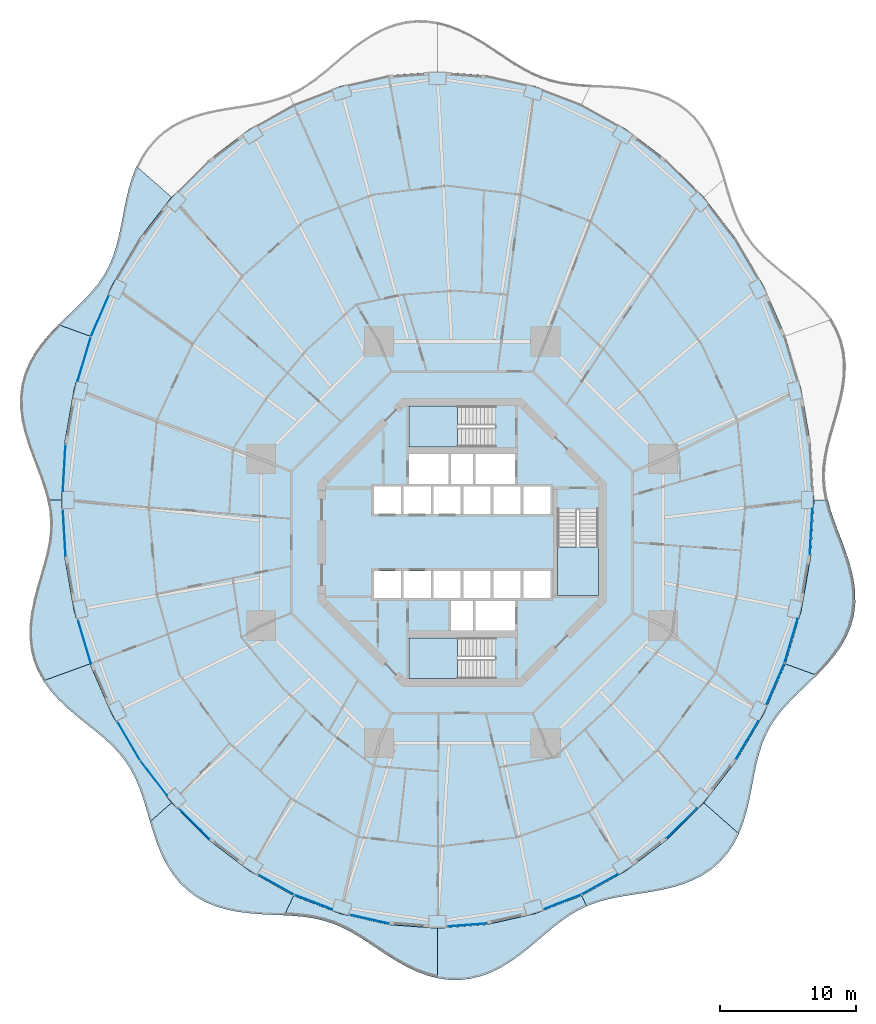
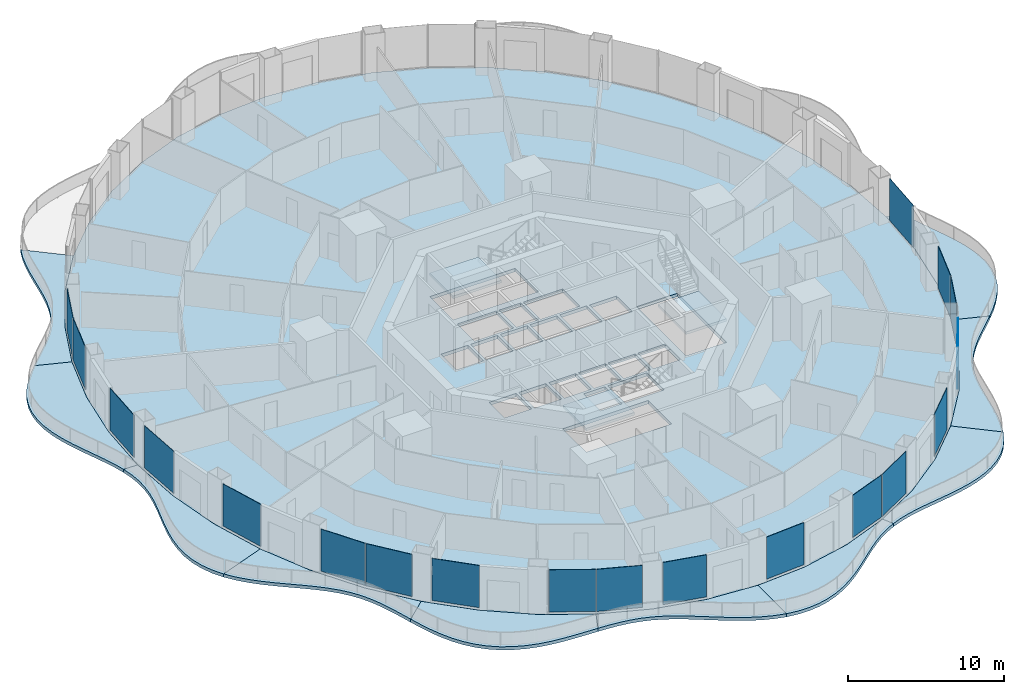
# One storey, part 12 of 22: 19 plates, 14 slabs, 22 elements without a shape of their own.
"""IFC4 building model written with IfcOpenShell, lengths in metres."""

from ifc_helpers import new_model, si_unit, direction, frame, origin, origin_2d, place, context, subcontext, project, spatial, polyline, rectangle, outline, extrude, material, layer, layer_set, type_object, element, aggregate, save


model = new_model("IFC4")

# Units and contexts
model_context = context("Model", 3, precision=1e-05, world=origin(), true_north=direction((0.0, 1.0)))
body_context = subcontext(model_context, "Body", "Model", "MODEL_VIEW")
ifc_project = project(units=[si_unit("LENGTHUNIT", "METRE"), si_unit("AREAUNIT", "SQUARE_METRE"), si_unit("VOLUMEUNIT", "CUBIC_METRE"), si_unit("PLANEANGLEUNIT", "RADIAN"), si_unit("MASSUNIT", "GRAM", prefix="KILO")], contexts=[model_context])

# Site, building, storey
site_placement = place(None, origin())
site = spatial("IfcSite", under=ifc_project, at=site_placement, CompositionType="ELEMENT")
building_placement = place(site_placement, origin())
building = spatial("IfcBuilding", under=site, at=building_placement, Name="Nagisa Residences", CompositionType="ELEMENT")
storey_placement = place(building_placement, frame((0.0, 0.0, 80.699951171875)))
storey = spatial("IfcBuildingStorey", under=building, at=storey_placement, Name="L19", CompositionType="ELEMENT", Elevation=80.699951171875)

# Slabs
ifc_material_1 = material(Name="Concrete C40/50", Category="concrete")
ifc_layer_1 = layer(ifc_material_1, 0.25)
ifc_layer_set_1 = layer_set([ifc_layer_1], Name="BALCONY SLAB 250")
slab_type_1 = type_object("IfcSlabType", Name="BALCONY SLAB 250", PredefinedType="FLOOR", material=ifc_layer_set_1)
slab_1_placement = place(storey_placement, frame((0.0, 0.0, -0.25)))
element("IfcSlab", 1, at=slab_1_placement, inside=storey, type_object=slab_type_1, Name="slab:L19:bal06", PredefinedType="FLOOR", context=body_context, shape_type="SweptSolid", body=[
    extrude(outline(polyline([(-23.965087890625, 27.671142578125), (-24.281982421875, 26.853515625), (-24.534423828125, 26.003662109375), (-24.73779296875, 25.137451171875), (-24.909912109375, 24.271240234375), (-25.071044921875, 23.419189453125), (-25.2412109375, 22.59326171875), (-25.439208984375, 21.8017578125), (-25.681884765625, 21.050048828125), (-25.98193359375, 20.339111328125), (-26.347412109375, 19.6669921875), (-26.78125, 19.028564453125), (-27.28076171875, 18.41552734375), (-27.83740234375, 17.818603515625), (-28.437744140625, 17.226806640625), (-29.064208984375, 16.630126953125), (-29.69580078125, 16.0185546875), (-27.386962890625, 15.177978515625), (-25.78466796875, 18.875244140625), (-23.77197265625, 22.302734375), (-21.38330078125, 25.402099609375), (-23.965087890625, 27.671142578125)])), origin(), (0.0, 0.0, 1.0), 0.25),
])
slab_2_placement = place(storey_placement, frame((0.0, 0.0, -0.25)))
element("IfcSlab", 2, at=slab_2_placement, inside=storey, type_object=slab_type_1, Name="slab:L19:bal07", PredefinedType="FLOOR", context=body_context, shape_type="SweptSolid", body=[
    extrude(outline(polyline([(-29.69580078125, 16.0185546875), (-30.329345703125, 15.36279296875), (-30.919189453125, 14.67529296875), (-31.442138671875, 13.952392578125), (-31.877685546875, 13.19287109375), (-32.209716796875, 12.3984375), (-32.428955078125, 11.573486328125), (-32.531494140625, 10.724365234375), (-32.521240234375, 9.858642578125), (-32.408203125, 8.984375), (-32.208984375, 8.10986328125), (-31.944091796875, 7.241943359375), (-31.638671875, 6.38623046875), (-31.318359375, 5.545654296875), (-31.010009765625, 4.721923828125), (-30.737060546875, 3.91357421875), (-30.5205078125, 3.11767578125), (-29.4951171875, 3.11767578125), (-29.258056640625, 7.231201171875), (-28.55126953125, 11.2744140625), (-27.386962890625, 15.177978515625), (-29.69580078125, 16.0185546875)])), origin(), (0.0, 0.0, 1.0), 0.25),
])
slab_3_placement = place(storey_placement, frame((0.0, 0.0, -0.25)))
element("IfcSlab", 3, at=slab_3_placement, inside=storey, type_object=slab_type_1, Name="slab:L19:bal08", PredefinedType="FLOOR", context=body_context, shape_type="SweptSolid", body=[
    extrude(outline(polyline([(-30.5205078125, 3.11767578125), (-30.375732421875, 2.32958984375), (-30.31201171875, 1.54345703125), (-30.33154296875, 0.75341796875), (-30.429931640625, -0.046630859375), (-30.595703125, -0.861328125), (-30.812255859375, -1.693359375), (-31.0576171875, -2.544189453125), (-31.30712890625, -3.411865234375), (-31.534423828125, -4.29296875), (-31.7138671875, -5.181396484375), (-31.822265625, -6.069091796875), (-31.84033203125, -6.947509765625), (-31.753173828125, -7.807373046875), (-31.553466796875, -8.63916015625), (-31.239501953125, -9.435791015625), (-30.81689453125, -10.191162109375), (-27.386962890625, -8.942626953125), (-28.55126953125, -5.0390625), (-29.258056640625, -0.995849609375), (-29.4951171875, 3.11767578125), (-30.5205078125, 3.11767578125)])), origin(), (0.0, 0.0, 1.0), 0.25),
])
slab_4_placement = place(storey_placement, frame((0.0, 0.0, -0.25)))
element("IfcSlab", 4, at=slab_4_placement, inside=storey, type_object=slab_type_1, Name="slab:L19:bal09", PredefinedType="FLOOR", context=body_context, shape_type="SweptSolid", body=[
    extrude(outline(polyline([(-30.81689453125, -10.191162109375), (-30.314697265625, -10.88134765625), (-29.736572265625, -11.5302734375), (-29.101806640625, -12.140625), (-28.431640625, -12.71875), (-27.748779296875, -13.272705078125), (-27.07421875, -13.812744140625), (-26.42822265625, -14.350830078125), (-25.826416015625, -14.89892578125), (-25.281005859375, -15.468994140625), (-24.798828125, -16.07080078125), (-24.380859375, -16.71240234375), (-24.0234375, -17.39892578125), (-23.717529296875, -18.131103515625), (-23.449951171875, -18.906005859375), (-23.2041015625, -19.71728515625), (-22.961669921875, -20.5537109375), (-21.38330078125, -19.166748046875), (-23.77197265625, -16.0673828125), (-25.78466796875, -12.639892578125), (-27.386962890625, -8.942626953125), (-30.81689453125, -10.191162109375)])), origin(), (0.0, 0.0, 1.0), 0.25),
])
slab_5_placement = place(storey_placement, frame((0.0, 0.0, -0.25)))
element("IfcSlab", 5, at=slab_5_placement, inside=storey, type_object=slab_type_1, Name="slab:L19:bal10", PredefinedType="FLOOR", context=body_context, shape_type="SweptSolid", body=[
    extrude(outline(polyline([(-22.961669921875, -20.5537109375), (-22.71630859375, -21.36181640625), (-22.44091796875, -22.166259765625), (-22.12109375, -22.951416015625), (-21.7451171875, -23.701416015625), (-21.3046875, -24.40185546875), (-20.79443359375, -25.0390625), (-20.21337890625, -25.602294921875), (-19.564208984375, -26.083984375), (-18.853271484375, -26.48095703125), (-18.08935546875, -26.793701171875), (-17.2841796875, -27.02734375), (-16.4501953125, -27.191162109375), (-15.600830078125, -27.2978515625), (-14.74853515625, -27.363037109375), (-13.90478515625, -27.40478515625), (-13.07861328125, -27.441650390625), (-12.3984375, -25.998291015625), (-15.6474609375, -24.175048828125), (-18.65966796875, -21.884765625), (-21.38330078125, -19.166748046875), (-22.961669921875, -20.5537109375)])), origin(), (0.0, 0.0, 1.0), 0.25),
])
slab_6_placement = place(storey_placement, frame((0.0, 0.0, -0.25)))
element("IfcSlab", 6, at=slab_6_placement, inside=storey, type_object=slab_type_1, Name="slab:L19:bal11", PredefinedType="FLOOR", context=body_context, shape_type="SweptSolid", body=[
    extrude(outline(polyline([(-13.07861328125, -27.441650390625), (-12.3056640625, -27.4892578125), (-11.55908203125, -27.564453125), (-10.83935546875, -27.679931640625), (-10.145263671875, -27.84521484375), (-9.47265625, -28.066650390625), (-8.81591796875, -28.345703125), (-8.16845703125, -28.679931640625), (-7.5224609375, -29.0625), (-6.870849609375, -29.482666015625), (-6.20703125, -29.926025390625), (-5.525634765625, -30.375732421875), (-4.822998046875, -30.813232421875), (-4.097412109375, -31.21923828125), (-3.349853515625, -31.5751953125), (-2.58251953125, -31.8642578125), (-1.800048828125, -32.07177734375), (-1.800048828125, -28.397216796875), (-5.4150390625, -28.127685546875), (-8.968017578125, -27.323486328125), (-12.3984375, -25.998291015625), (-13.07861328125, -27.441650390625)])), origin(), (0.0, 0.0, 1.0), 0.25),
])
slab_7_placement = place(storey_placement, frame((0.0, 0.0, -0.25)))
element("IfcSlab", 7, at=slab_7_placement, inside=storey, type_object=slab_type_1, Name="slab:L19:bal12", PredefinedType="FLOOR", context=body_context, shape_type="SweptSolid", body=[
    extrude(outline(polyline([(-1.800048828125, -32.07177734375), (-1.008544921875, -32.186767578125), (-0.21484375, -32.2021484375), (0.5732421875, -32.115966796875), (1.34912109375, -31.93017578125), (2.10595703125, -31.6513671875), (2.8388671875, -31.290771484375), (3.544921875, -30.862548828125), (4.22314453125, -30.38330078125), (4.87451171875, -29.871337890625), (5.50244140625, -29.345947265625), (6.1123046875, -28.824951171875), (6.71142578125, -28.325439453125), (7.307861328125, -27.861328125), (7.90966796875, -27.443603515625), (8.525390625, -27.078857421875), (9.162109375, -26.770263671875), (8.79833984375, -25.998291015625), (5.367919921875, -27.323486328125), (1.81494140625, -28.127685546875), (-1.800048828125, -28.397216796875), (-1.800048828125, -32.07177734375)])), origin(), (0.0, 0.0, 1.0), 0.25),
])
slab_8_placement = place(storey_placement, frame((0.0, 0.0, -0.25)))
element("IfcSlab", 8, at=slab_8_placement, inside=storey, type_object=slab_type_1, Name="slab:L19:bal13", PredefinedType="FLOOR", context=body_context, shape_type="SweptSolid", body=[
    extrude(outline(polyline([(9.162109375, -26.770263671875), (9.8515625, -26.507568359375), (10.573486328125, -26.297607421875), (11.32958984375, -26.130126953125), (12.117431640625, -25.9912109375), (12.931396484375, -25.864990234375), (13.76318359375, -25.734130859375), (14.6015625, -25.58154296875), (15.433837890625, -25.39013671875), (16.24560546875, -25.145751953125), (17.022705078125, -24.836669921875), (17.751708984375, -24.45458984375), (18.420654296875, -23.995361328125), (19.020263671875, -23.45849609375), (19.544921875, -22.847412109375), (19.99267578125, -22.169921875), (20.365234375, -21.435791015625), (17.783203125, -19.166748046875), (15.0595703125, -21.884765625), (12.047607421875, -24.175048828125), (8.79833984375, -25.998291015625), (9.162109375, -26.770263671875)])), origin(), (0.0, 0.0, 1.0), 0.25),
])
slab_9_placement = place(storey_placement, frame((0.0, 0.0, -0.25)))
element("IfcSlab", 9, at=slab_9_placement, inside=storey, type_object=slab_type_1, Name="slab:L19:bal14", PredefinedType="FLOOR", context=body_context, shape_type="SweptSolid", body=[
    extrude(outline(polyline([(20.365234375, -21.435791015625), (20.68212890625, -20.6181640625), (20.9345703125, -19.768310546875), (21.1376953125, -18.902099609375), (21.31005859375, -18.035888671875), (21.47119140625, -17.183837890625), (21.64111328125, -16.35791015625), (21.83935546875, -15.56640625), (22.08203125, -14.814697265625), (22.382080078125, -14.103759765625), (22.74755859375, -13.431640625), (23.181396484375, -12.793212890625), (23.6806640625, -12.18017578125), (24.2373046875, -11.5830078125), (24.837646484375, -10.991455078125), (25.464111328125, -10.394775390625), (26.095703125, -9.782958984375), (23.786865234375, -8.942626953125), (22.1845703125, -12.639892578125), (20.171875, -16.0673828125), (17.783203125, -19.166748046875), (20.365234375, -21.435791015625)])), origin(), (0.0, 0.0, 1.0), 0.25),
])
slab_10_placement = place(storey_placement, frame((0.0, 0.0, -0.25)))
element("IfcSlab", 10, at=slab_10_placement, inside=storey, type_object=slab_type_1, Name="slab:L19:bal15", PredefinedType="FLOOR", context=body_context, shape_type="SweptSolid", body=[
    extrude(outline(polyline([(26.095703125, -9.782958984375), (26.729248046875, -9.12744140625), (27.3193359375, -8.43994140625), (27.842041015625, -7.717041015625), (28.277587890625, -6.95751953125), (28.60986328125, -6.1630859375), (28.828857421875, -5.338134765625), (28.931640625, -4.489013671875), (28.921142578125, -3.623291015625), (28.808349609375, -2.7490234375), (28.60888671875, -1.87451171875), (28.34423828125, -1.006591796875), (28.03857421875, -0.150634765625), (27.718505859375, 0.689697265625), (27.409912109375, 1.513427734375), (27.13720703125, 2.32177734375), (26.920654296875, 3.11767578125), (25.89501953125, 3.11767578125), (25.657958984375, -0.995849609375), (24.951416015625, -5.0390625), (23.786865234375, -8.942626953125), (26.095703125, -9.782958984375)])), origin(), (0.0, 0.0, 1.0), 0.25),
])

# Curtain wall, plate
ifc_material_2 = material(Name="Concrete-coloured aluminium curtain wall system", Category="concrete")
ifc_layer_2 = layer(ifc_material_2, 0.159912109375)
ifc_layer_set_2 = layer_set([ifc_layer_2], Name="CW1 CURTAIN WALL")
curtain_wall_type = type_object("IfcCurtainWallType", Name="CW1 CURTAIN WALL", PredefinedType="NOTDEFINED", material=ifc_layer_set_2)
curtain_wall_1_placement = place(storey_placement, origin())
curtain_wall_1 = element("IfcCurtainWall", 11, at=curtain_wall_1_placement, inside=storey, type_object=curtain_wall_type, Name="cw:CW1:L19:20", PredefinedType="NOTDEFINED")
ifc_material_3 = material(Name="Clear laminated glass", Category="glass")
ifc_layer_3 = layer(ifc_material_3, 0.028076171875)
ifc_layer_set_3 = layer_set([ifc_layer_3], Name="CW1 GLASS PANEL")
plate_type = type_object("IfcPlateType", Name="CW1 GLASS PANEL", PredefinedType="CURTAIN_PANEL", material=ifc_layer_set_3)
plate_1_placement = place(storey_placement, frame((-26.653564453125, 16.6689453125, 0.150146484375), z_axis=(0.0, 0.0, 1.0), x_axis=(-0.397635934147, -0.917543276295, 0.0)))
plate_1 = element("IfcPlate", 12, at=plate_1_placement, type_object=plate_type, Name="CW1 panel", PredefinedType="CURTAIN_PANEL", context=body_context, shape_type="SweptSolid", body=[
    extrude(rectangle(XDim=3.319580078125, YDim=0.028076171875, at=origin_2d()), origin(), (0.0, 0.0, 1.0), 3.2900390625),
])
aggregate(curtain_wall_1, [plate_1])

curtain_wall_2_placement = place(storey_placement, origin())
curtain_wall_2 = element("IfcCurtainWall", 13, at=curtain_wall_2_placement, inside=storey, type_object=curtain_wall_type, Name="cw:CW1:L19:21", PredefinedType="NOTDEFINED")
plate_2_placement = place(storey_placement, frame((-27.80810546875, 13.486083984375, 0.150146484375), z_axis=(0.0, 0.0, 1.0), x_axis=(-0.285860274038, -0.958271310082, 0.0)))
plate_2 = element("IfcPlate", 14, at=plate_2_placement, type_object=plate_type, Name="CW1 panel", PredefinedType="CURTAIN_PANEL", context=body_context, shape_type="SweptSolid", body=[
    extrude(rectangle(XDim=3.363525390625, YDim=0.028076171875, at=origin_2d()), origin(), (0.0, 0.0, 1.0), 3.2900390625),
])
aggregate(curtain_wall_2, [plate_2])

curtain_wall_3_placement = place(storey_placement, origin())
curtain_wall_3 = element("IfcCurtainWall", 15, at=curtain_wall_3_placement, inside=storey, type_object=curtain_wall_type, Name="cw:CW1:L19:23", PredefinedType="NOTDEFINED")
plate_3_placement = place(storey_placement, frame((-29.27978515625, 5.46435546875, 0.150146484375), z_axis=(0.0, 0.0, 1.0), x_axis=(-0.057503492216, -0.998345305184, 0.0)))
plate_3 = element("IfcPlate", 16, at=plate_3_placement, type_object=plate_type, Name="CW1 panel", PredefinedType="CURTAIN_PANEL", context=body_context, shape_type="SweptSolid", body=[
    extrude(rectangle(XDim=3.410400390625, YDim=0.028076171875, at=origin_2d()), origin(), (0.0, 0.0, 1.0), 3.2900390625),
])
aggregate(curtain_wall_3, [plate_3])

curtain_wall_4_placement = place(storey_placement, origin())
curtain_wall_4 = element("IfcCurtainWall", 17, at=curtain_wall_4_placement, inside=storey, type_object=curtain_wall_type, Name="cw:CW1:L19:24", PredefinedType="NOTDEFINED")
plate_4_placement = place(storey_placement, frame((-29.2763671875, 0.711181640625, 0.150146484375), z_axis=(0.0, 0.0, 1.0), x_axis=(0.057503492216, -0.998345305184, 0.0)))
plate_4 = element("IfcPlate", 18, at=plate_4_placement, type_object=plate_type, Name="CW1 panel", PredefinedType="CURTAIN_PANEL", context=body_context, shape_type="SweptSolid", body=[
    extrude(rectangle(XDim=3.410400390625, YDim=0.028076171875, at=origin_2d()), origin(), (0.0, 0.0, 1.0), 3.2900390625),
])
aggregate(curtain_wall_4, [plate_4])

curtain_wall_5_placement = place(storey_placement, origin())
curtain_wall_5 = element("IfcCurtainWall", 19, at=curtain_wall_5_placement, inside=storey, type_object=curtain_wall_type, Name="cw:CW1:L19:26", PredefinedType="NOTDEFINED")
plate_5_placement = place(storey_placement, frame((-27.791015625, -7.30810546875, 0.150146484375), z_axis=(0.0, 0.0, 1.0), x_axis=(0.285860274038, -0.958271310082, 0.0)))
plate_5 = element("IfcPlate", 20, at=plate_5_placement, type_object=plate_type, Name="CW1 panel", PredefinedType="CURTAIN_PANEL", context=body_context, shape_type="SweptSolid", body=[
    extrude(rectangle(XDim=3.363525390625, YDim=0.028076171875, at=origin_2d()), origin(), (0.0, 0.0, 1.0), 3.2900390625),
])
aggregate(curtain_wall_5, [plate_5])

curtain_wall_6_placement = place(storey_placement, origin())
curtain_wall_6 = element("IfcCurtainWall", 21, at=curtain_wall_6_placement, inside=storey, type_object=curtain_wall_type, Name="cw:CW1:L19:28", PredefinedType="NOTDEFINED")
plate_6_placement = place(storey_placement, frame((-24.529541015625, -14.619140625, 0.150146484375), z_axis=(0.0, 0.0, 1.0), x_axis=(0.506348567002, -0.862328898214, 0.0)))
plate_6 = element("IfcPlate", 22, at=plate_6_placement, type_object=plate_type, Name="CW1 panel", PredefinedType="CURTAIN_PANEL", context=body_context, shape_type="SweptSolid", body=[
    extrude(rectangle(XDim=3.264892578125, YDim=0.028076171875, at=origin_2d()), origin(), (0.0, 0.0, 1.0), 3.2900390625),
])
aggregate(curtain_wall_6, [plate_6])

curtain_wall_7_placement = place(storey_placement, origin())
curtain_wall_7 = element("IfcCurtainWall", 23, at=curtain_wall_7_placement, inside=storey, type_object=curtain_wall_type, Name="cw:CW1:L19:29", PredefinedType="NOTDEFINED")
plate_7_placement = place(storey_placement, frame((-22.6943359375, -17.334716796875, 0.150146484375), z_axis=(0.0, 0.0, 1.0), x_axis=(0.610429828235, -0.792070340816, 0.0)))
plate_7 = element("IfcPlate", 24, at=plate_7_placement, type_object=plate_type, Name="CW1 panel", PredefinedType="CURTAIN_PANEL", context=body_context, shape_type="SweptSolid", body=[
    extrude(rectangle(XDim=3.202880859375, YDim=0.028076171875, at=origin_2d()), origin(), (0.0, 0.0, 1.0), 3.2900390625),
])
aggregate(curtain_wall_7, [plate_7])

curtain_wall_8_placement = place(storey_placement, origin())
curtain_wall_8 = element("IfcCurtainWall", 25, at=curtain_wall_8_placement, inside=storey, type_object=curtain_wall_type, Name="cw:CW1:L19:30", PredefinedType="NOTDEFINED")
plate_8_placement = place(storey_placement, frame((-19.713623046875, -20.719970703125, 0.150146484375), z_axis=(0.0, 0.0, 1.0), x_axis=(0.707835924016, -0.706376885714, 0.0)))
plate_8 = element("IfcPlate", 26, at=plate_8_placement, type_object=plate_type, Name="CW1 panel", PredefinedType="CURTAIN_PANEL", context=body_context, shape_type="SweptSolid", body=[
    extrude(rectangle(XDim=3.137939453125, YDim=0.028076171875, at=origin_2d()), origin(), (0.0, 0.0, 1.0), 3.2900390625),
])
aggregate(curtain_wall_8, [plate_8])

curtain_wall_9_placement = place(storey_placement, origin())
curtain_wall_9 = element("IfcCurtainWall", 27, at=curtain_wall_9_placement, inside=storey, type_object=curtain_wall_type, Name="cw:CW1:L19:32", PredefinedType="NOTDEFINED")
plate_9_placement = place(storey_placement, frame((-13.67431640625, -25.190673828125, 0.150146484375), z_axis=(0.0, 0.0, 1.0), x_axis=(0.872072377523, -0.489376918501, 0.0)))
plate_9 = element("IfcPlate", 28, at=plate_9_placement, type_object=plate_type, Name="CW1 panel", PredefinedType="CURTAIN_PANEL", context=body_context, shape_type="SweptSolid", body=[
    extrude(rectangle(XDim=3.015625, YDim=0.028076171875, at=origin_2d()), origin(), (0.0, 0.0, 1.0), 3.2900390625),
])
aggregate(curtain_wall_9, [plate_9])

curtain_wall_10_placement = place(storey_placement, origin())
curtain_wall_10 = element("IfcCurtainWall", 29, at=curtain_wall_10_placement, inside=storey, type_object=curtain_wall_type, Name="cw:CW1:L19:33", PredefinedType="NOTDEFINED")
plate_10_placement = place(storey_placement, frame((-10.929443359375, -26.47998046875, 0.150146484375), z_axis=(0.0, 0.0, 1.0), x_axis=(0.932825759707, -0.360327770268, 0.0)))
plate_10 = element("IfcPlate", 30, at=plate_10_placement, type_object=plate_type, Name="CW1 panel", PredefinedType="CURTAIN_PANEL", context=body_context, shape_type="SweptSolid", body=[
    extrude(rectangle(XDim=2.967529296875, YDim=0.028076171875, at=origin_2d()), origin(), (0.0, 0.0, 1.0), 3.2900390625),
])
aggregate(curtain_wall_10, [plate_10])

curtain_wall_11_placement = place(storey_placement, origin())
curtain_wall_11 = element("IfcCurtainWall", 31, at=curtain_wall_11_placement, inside=storey, type_object=curtain_wall_type, Name="cw:CW1:L19:34", PredefinedType="NOTDEFINED")
plate_11_placement = place(storey_placement, frame((-6.82763671875, -27.725830078125, 0.150146484375), z_axis=(0.0, 0.0, 1.0), x_axis=(0.975327274089, -0.2207639201, 0.0)))
plate_11 = element("IfcPlate", 32, at=plate_11_placement, type_object=plate_type, Name="CW1 panel", PredefinedType="CURTAIN_PANEL", context=body_context, shape_type="SweptSolid", body=[
    extrude(rectangle(XDim=2.932861328125, YDim=0.028076171875, at=origin_2d()), origin(), (0.0, 0.0, 1.0), 3.2900390625),
])
aggregate(curtain_wall_11, [plate_11])

curtain_wall_12_placement = place(storey_placement, origin())
curtain_wall_12 = element("IfcCurtainWall", 33, at=curtain_wall_12_placement, inside=storey, type_object=curtain_wall_type, Name="cw:CW1:L19:36", PredefinedType="NOTDEFINED")
plate_12_placement = place(storey_placement, frame((0.35546875, -28.15625, 0.150146484375), z_axis=(0.0, 0.0, 1.0), x_axis=(0.997230168512, 0.074377355493, 0.0)))
plate_12 = element("IfcPlate", 34, at=plate_12_placement, type_object=plate_type, Name="CW1 panel", PredefinedType="CURTAIN_PANEL", context=body_context, shape_type="SweptSolid", body=[
    extrude(rectangle(XDim=2.9150390625, YDim=0.028076171875, at=origin_2d()), origin(), (0.0, 0.0, 1.0), 3.2900390625),
])
aggregate(curtain_wall_12, [plate_12])

curtain_wall_13_placement = place(storey_placement, origin())
curtain_wall_13 = element("IfcCurtainWall", 35, at=curtain_wall_13_placement, inside=storey, type_object=curtain_wall_type, Name="cw:CW1:L19:38", PredefinedType="NOTDEFINED")
plate_13_placement = place(storey_placement, frame((7.385498046875, -26.45849609375, 0.150146484375), z_axis=(0.0, 0.0, 1.0), x_axis=(0.932825759707, 0.360327770268, 0.0)))
plate_13 = element("IfcPlate", 36, at=plate_13_placement, type_object=plate_type, Name="CW1 panel", PredefinedType="CURTAIN_PANEL", context=body_context, shape_type="SweptSolid", body=[
    extrude(rectangle(XDim=2.967529296875, YDim=0.028076171875, at=origin_2d()), origin(), (0.0, 0.0, 1.0), 3.2900390625),
])
aggregate(curtain_wall_13, [plate_13])

curtain_wall_14_placement = place(storey_placement, origin())
curtain_wall_14 = element("IfcCurtainWall", 37, at=curtain_wall_14_placement, inside=storey, type_object=curtain_wall_type, Name="cw:CW1:L19:39", PredefinedType="NOTDEFINED")
plate_14_placement = place(storey_placement, frame((10.12646484375, -25.161376953125, 0.150146484375), z_axis=(0.0, 0.0, 1.0), x_axis=(0.872072377523, 0.489376918501, 0.0)))
plate_14 = element("IfcPlate", 38, at=plate_14_placement, type_object=plate_type, Name="CW1 panel", PredefinedType="CURTAIN_PANEL", context=body_context, shape_type="SweptSolid", body=[
    extrude(rectangle(XDim=3.015625, YDim=0.028076171875, at=origin_2d()), origin(), (0.0, 0.0, 1.0), 3.2900390625),
])
aggregate(curtain_wall_14, [plate_14])

curtain_wall_15_placement = place(storey_placement, origin())
curtain_wall_15 = element("IfcCurtainWall", 39, at=curtain_wall_15_placement, inside=storey, type_object=curtain_wall_type, Name="cw:CW1:L19:41", PredefinedType="NOTDEFINED")
plate_15_placement = place(storey_placement, frame((16.15625, -20.677490234375, 0.150146484375), z_axis=(0.0, 0.0, 1.0), x_axis=(0.707835924016, 0.706376885714, 0.0)))
plate_15 = element("IfcPlate", 40, at=plate_15_placement, type_object=plate_type, Name="CW1 panel", PredefinedType="CURTAIN_PANEL", context=body_context, shape_type="SweptSolid", body=[
    extrude(rectangle(XDim=3.137939453125, YDim=0.028076171875, at=origin_2d()), origin(), (0.0, 0.0, 1.0), 3.2900390625),
])
aggregate(curtain_wall_15, [plate_15])

curtain_wall_16_placement = place(storey_placement, origin())
curtain_wall_16 = element("IfcCurtainWall", 41, at=curtain_wall_16_placement, inside=storey, type_object=curtain_wall_type, Name="cw:CW1:L19:43", PredefinedType="NOTDEFINED")
plate_16_placement = place(storey_placement, frame((20.9599609375, -14.5673828125, 0.150146484375), z_axis=(0.0, 0.0, 1.0), x_axis=(0.506348567002, 0.862328898214, 0.0)))
plate_16 = element("IfcPlate", 42, at=plate_16_placement, type_object=plate_type, Name="CW1 panel", PredefinedType="CURTAIN_PANEL", context=body_context, shape_type="SweptSolid", body=[
    extrude(rectangle(XDim=3.264892578125, YDim=0.028076171875, at=origin_2d()), origin(), (0.0, 0.0, 1.0), 3.2900390625),
])
aggregate(curtain_wall_16, [plate_16])

curtain_wall_17_placement = place(storey_placement, origin())
curtain_wall_17 = element("IfcCurtainWall", 43, at=curtain_wall_17_placement, inside=storey, type_object=curtain_wall_type, Name="cw:CW1:L19:44", PredefinedType="NOTDEFINED")
plate_17_placement = place(storey_placement, frame((23.053466796875, -10.43359375, 0.150146484375), z_axis=(0.0, 0.0, 1.0), x_axis=(0.397635934147, 0.917543276295, 0.0)))
plate_17 = element("IfcPlate", 44, at=plate_17_placement, type_object=plate_type, Name="CW1 panel", PredefinedType="CURTAIN_PANEL", context=body_context, shape_type="SweptSolid", body=[
    extrude(rectangle(XDim=3.319580078125, YDim=0.028076171875, at=origin_2d()), origin(), (0.0, 0.0, 1.0), 3.2900390625),
])
aggregate(curtain_wall_17, [plate_17])

curtain_wall_18_placement = place(storey_placement, origin())
curtain_wall_18 = element("IfcCurtainWall", 45, at=curtain_wall_18_placement, inside=storey, type_object=curtain_wall_type, Name="cw:CW1:L19:45", PredefinedType="NOTDEFINED")
plate_18_placement = place(storey_placement, frame((24.2080078125, -7.25048828125, 0.150146484375), z_axis=(0.0, 0.0, 1.0), x_axis=(0.285860274038, 0.958271310082, 0.0)))
plate_18 = element("IfcPlate", 46, at=plate_18_placement, type_object=plate_type, Name="CW1 panel", PredefinedType="CURTAIN_PANEL", context=body_context, shape_type="SweptSolid", body=[
    extrude(rectangle(XDim=3.363525390625, YDim=0.028076171875, at=origin_2d()), origin(), (0.0, 0.0, 1.0), 3.2900390625),
])
aggregate(curtain_wall_18, [plate_18])

curtain_wall_19_placement = place(storey_placement, origin())
curtain_wall_19 = element("IfcCurtainWall", 47, at=curtain_wall_19_placement, inside=storey, type_object=curtain_wall_type, Name="cw:CW1:L19:47", PredefinedType="NOTDEFINED")
plate_19_placement = place(storey_placement, frame((25.6796875, 0.77099609375, 0.150146484375), z_axis=(0.0, 0.0, 1.0), x_axis=(0.057503492216, 0.998345305184, 0.0)))
plate_19 = element("IfcPlate", 48, at=plate_19_placement, type_object=plate_type, Name="CW1 panel", PredefinedType="CURTAIN_PANEL", context=body_context, shape_type="SweptSolid", body=[
    extrude(rectangle(XDim=3.410400390625, YDim=0.028076171875, at=origin_2d()), origin(), (0.0, 0.0, 1.0), 3.2900390625),
])
aggregate(curtain_wall_19, [plate_19])

# Slab
ifc_material_4 = material(Name="Concrete C40", Category="concrete")
ifc_layer_4 = layer(ifc_material_4, 0.260009765625)
ifc_layer_set_4 = layer_set([ifc_layer_4], Name="Floor slab 260")
slab_type_2 = type_object("IfcSlabType", Name="Floor slab 260", PredefinedType="FLOOR", material=ifc_layer_set_4)
slab_11_placement = place(storey_placement, frame((0.0, 0.0, -0.260009765625)))
element("IfcSlab", 49, at=slab_11_placement, inside=storey, type_object=slab_type_2, Name="slab:L19:floor", PredefinedType="FLOOR", context=body_context, shape_type="SweptSolid", body=[
    extrude(outline(polyline([(25.89501953125, 3.11767578125), (25.657958984375, 7.231201171875), (24.951416015625, 11.2744140625), (23.786865234375, 15.177978515625), (22.1845703125, 18.875244140625), (20.171875, 22.302734375), (17.783203125, 25.402099609375), (15.0595703125, 28.1201171875), (12.047607421875, 30.410400390625), (8.79833984375, 32.233642578125), (5.367919921875, 33.558837890625), (1.81494140625, 34.363037109375), (-1.800048828125, 34.6328125), (-5.4150390625, 34.363037109375), (-8.968017578125, 33.558837890625), (-12.3984375, 32.233642578125), (-15.6474609375, 30.410400390625), (-18.65966796875, 28.1201171875), (-21.38330078125, 25.402099609375), (-23.77197265625, 22.302734375), (-25.78466796875, 18.875244140625), (-27.386962890625, 15.177978515625), (-28.55126953125, 11.2744140625), (-29.258056640625, 7.231201171875), (-29.4951171875, 3.11767578125), (-29.258056640625, -0.995849609375), (-28.55126953125, -5.0390625), (-27.386962890625, -8.942626953125), (-25.78466796875, -12.639892578125), (-23.77197265625, -16.0673828125), (-21.38330078125, -19.166748046875), (-18.65966796875, -21.884765625), (-15.6474609375, -24.175048828125), (-12.3984375, -25.998291015625), (-8.968017578125, -27.323486328125), (-5.4150390625, -28.127685546875), (-1.800048828125, -28.397216796875), (1.81494140625, -28.127685546875), (5.367919921875, -27.323486328125), (8.79833984375, -25.998291015625), (12.047607421875, -24.175048828125), (15.0595703125, -21.884765625), (17.783203125, -19.166748046875), (20.171875, -16.0673828125), (22.1845703125, -12.639892578125), (23.786865234375, -8.942626953125), (24.951416015625, -5.0390625), (25.657958984375, -0.995849609375), (25.89501953125, 3.11767578125)]), holes=[polyline([(-4.5, 2.10009765625), (-4.5, 4.10009765625), (-6.5, 4.10009765625), (-6.5, 2.10009765625), (-4.5, 2.10009765625)]), polyline([(-2.300048828125, 2.10009765625), (-2.300048828125, 4.10009765625), (-4.300048828125, 4.10009765625), (-4.300048828125, 2.10009765625), (-2.300048828125, 2.10009765625)]), polyline([(-0.10009765625, 2.10009765625), (-0.10009765625, 4.10009765625), (-2.10009765625, 4.10009765625), (-2.10009765625, 2.10009765625), (-0.10009765625, 2.10009765625)]), polyline([(2.10009765625, 2.10009765625), (2.10009765625, 4.10009765625), (0.10009765625, 4.10009765625), (0.10009765625, 2.10009765625), (2.10009765625, 2.10009765625)]), polyline([(4.300048828125, 2.10009765625), (4.300048828125, 4.10009765625), (2.300048828125, 4.10009765625), (2.300048828125, 2.10009765625), (4.300048828125, 2.10009765625)]), polyline([(6.5, 2.10009765625), (6.5, 4.10009765625), (4.5, 4.10009765625), (4.5, 2.10009765625), (6.5, 2.10009765625)]), polyline([(-4.5, -4.10009765625), (-4.5, -2.10009765625), (-6.5, -2.10009765625), (-6.5, -4.10009765625), (-4.5, -4.10009765625)]), polyline([(-2.300048828125, -4.10009765625), (-2.300048828125, -2.10009765625), (-4.300048828125, -2.10009765625), (-4.300048828125, -4.10009765625), (-2.300048828125, -4.10009765625)]), polyline([(-0.10009765625, -4.10009765625), (-0.10009765625, -2.10009765625), (-2.10009765625, -2.10009765625), (-2.10009765625, -4.10009765625), (-0.10009765625, -4.10009765625)]), polyline([(2.10009765625, -4.10009765625), (2.10009765625, -2.10009765625), (0.10009765625, -2.10009765625), (0.10009765625, -4.10009765625), (2.10009765625, -4.10009765625)]), polyline([(4.300048828125, -4.10009765625), (4.300048828125, -2.10009765625), (2.300048828125, -2.10009765625), (2.300048828125, -4.10009765625), (4.300048828125, -4.10009765625)]), polyline([(6.5, -4.10009765625), (6.5, -2.10009765625), (4.5, -2.10009765625), (4.5, -4.10009765625), (6.5, -4.10009765625)]), polyline([(3.89990234375, 4.300048828125), (3.89990234375, 6.5), (1.0, 6.5), (1.0, 4.300048828125), (3.89990234375, 4.300048828125)]), polyline([(3.89990234375, -6.5), (3.89990234375, -4.300048828125), (1.0, -4.300048828125), (1.0, -6.5), (3.89990234375, -6.5)]), polyline([(-1.0, 4.300048828125), (-1.0, 6.5), (-3.89990234375, 6.5), (-3.89990234375, 4.300048828125), (-1.0, 4.300048828125)]), polyline([(0.800048828125, 4.300048828125), (0.800048828125, 6.5), (-0.800048828125, 6.5), (-0.800048828125, 4.300048828125), (0.800048828125, 4.300048828125)]), polyline([(0.800048828125, -6.5), (0.800048828125, -4.300048828125), (-0.800048828125, -4.300048828125), (-0.800048828125, -6.5), (0.800048828125, -6.5)]), polyline([(10.024658203125, -3.89990234375), (7.024658203125, -3.89990234375), (7.024658203125, 2.425048828125), (10.024658203125, 2.425048828125), (10.024658203125, -3.89990234375)]), polyline([(-3.89990234375, 7.024658203125), (-3.89990234375, 10.024658203125), (2.425048828125, 10.024658203125), (2.425048828125, 7.024658203125), (-3.89990234375, 7.024658203125)]), polyline([(-3.89990234375, -10.024658203125), (-3.89990234375, -7.024658203125), (2.425048828125, -7.024658203125), (2.425048828125, -10.024658203125), (-3.89990234375, -10.024658203125)])]), origin(), (0.0, 0.0, 1.0), 0.260009765625),
])

# Stair, slab
ifc_material_5 = material(Name="Concrete C60", Category="concrete")
stair_type = type_object("IfcStairType", Name="Exit stair", PredefinedType="HALF_TURN_STAIR", material=ifc_material_5)
stair_1_placement = place(storey_placement, origin())
stair_1 = element("IfcStair", 50, at=stair_1_placement, inside=storey, type_object=stair_type, Name="L19 Exit stair E", PredefinedType="HALF_TURN_STAIR")
ifc_material_6 = material(Name="Concrete C60", Category="concrete")
ifc_layer_5 = layer(ifc_material_6, 0.199951171875)
ifc_layer_set_5 = layer_set([ifc_layer_5], Name="Stair landing")
slab_type_3 = type_object("IfcSlabType", Name="Stair landing", PredefinedType="LANDING", material=ifc_layer_set_5)
slab_12_placement = place(storey_placement, frame((0.0, 0.0, 1.650146484375)))
slab_12 = element("IfcSlab", 51, at=slab_12_placement, type_object=slab_type_3, Name="ST-E landing 1", PredefinedType="LANDING", context=body_context, shape_type="SweptSolid", body=[
    extrude(outline(polyline([(7.024658203125, -0.324951171875), (7.024658203125, -3.89990234375), (10.024658203125, -3.89990234375), (10.024658203125, -0.324951171875), (7.024658203125, -0.324951171875)])), origin(), (0.0, 0.0, 1.0), 0.199951171875),
])
aggregate(stair_1, [slab_12])

stair_2_placement = place(storey_placement, origin())
stair_2 = element("IfcStair", 52, at=stair_2_placement, inside=storey, type_object=stair_type, Name="L19 Exit stair N", PredefinedType="HALF_TURN_STAIR")
slab_13_placement = place(storey_placement, frame((0.0, 0.0, 1.650146484375)))
slab_13 = element("IfcSlab", 53, at=slab_13_placement, type_object=slab_type_3, Name="ST-N landing 1", PredefinedType="LANDING", context=body_context, shape_type="SweptSolid", body=[
    extrude(outline(polyline([(-0.324951171875, 10.024658203125), (-3.89990234375, 10.024658203125), (-3.89990234375, 7.024658203125), (-0.324951171875, 7.024658203125), (-0.324951171875, 10.024658203125)])), origin(), (0.0, 0.0, 1.0), 0.199951171875),
])
aggregate(stair_2, [slab_13])

stair_3_placement = place(storey_placement, origin())
stair_3 = element("IfcStair", 54, at=stair_3_placement, inside=storey, type_object=stair_type, Name="L19 Exit stair S", PredefinedType="HALF_TURN_STAIR")
slab_14_placement = place(storey_placement, frame((0.0, 0.0, 1.650146484375)))
slab_14 = element("IfcSlab", 55, at=slab_14_placement, type_object=slab_type_3, Name="ST-S landing 1", PredefinedType="LANDING", context=body_context, shape_type="SweptSolid", body=[
    extrude(outline(polyline([(-0.324951171875, -7.024658203125), (-3.89990234375, -7.024658203125), (-3.89990234375, -10.024658203125), (-0.324951171875, -10.024658203125), (-0.324951171875, -7.024658203125)])), origin(), (0.0, 0.0, 1.0), 0.199951171875),
])
aggregate(stair_3, [slab_14])

save(model, "model.ifc")
